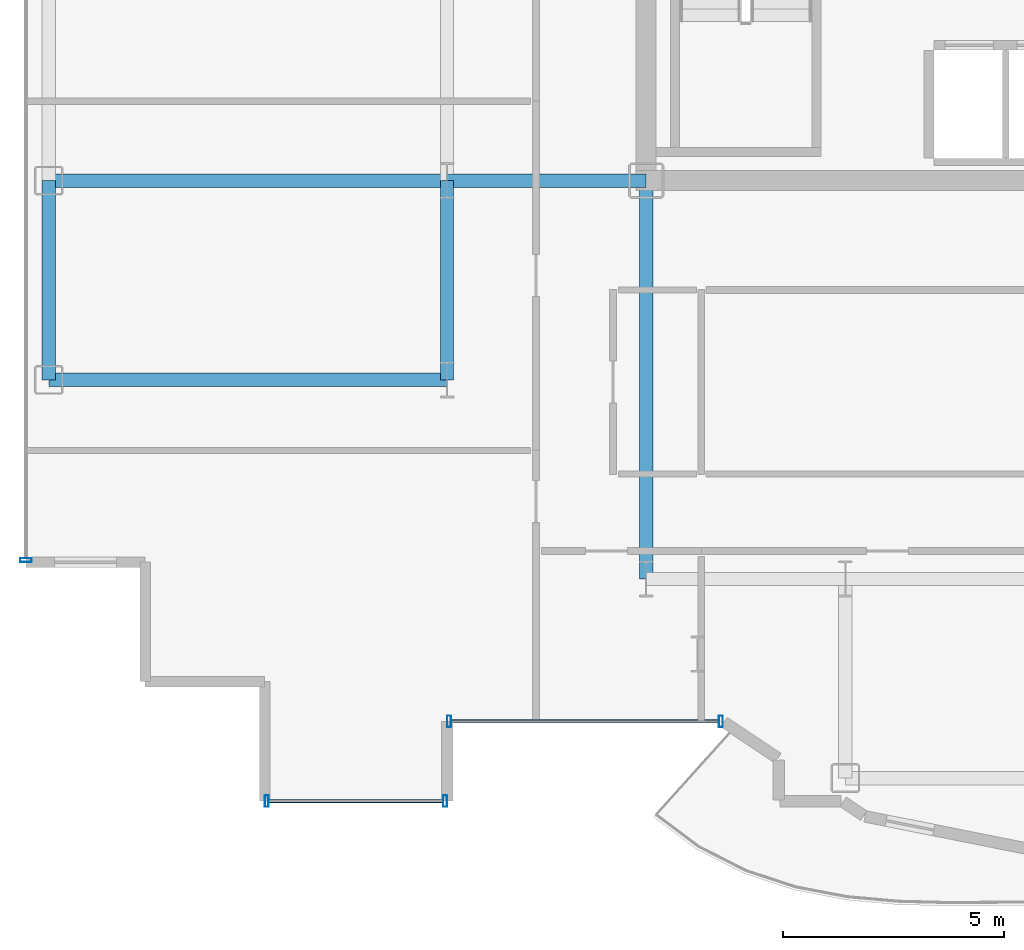
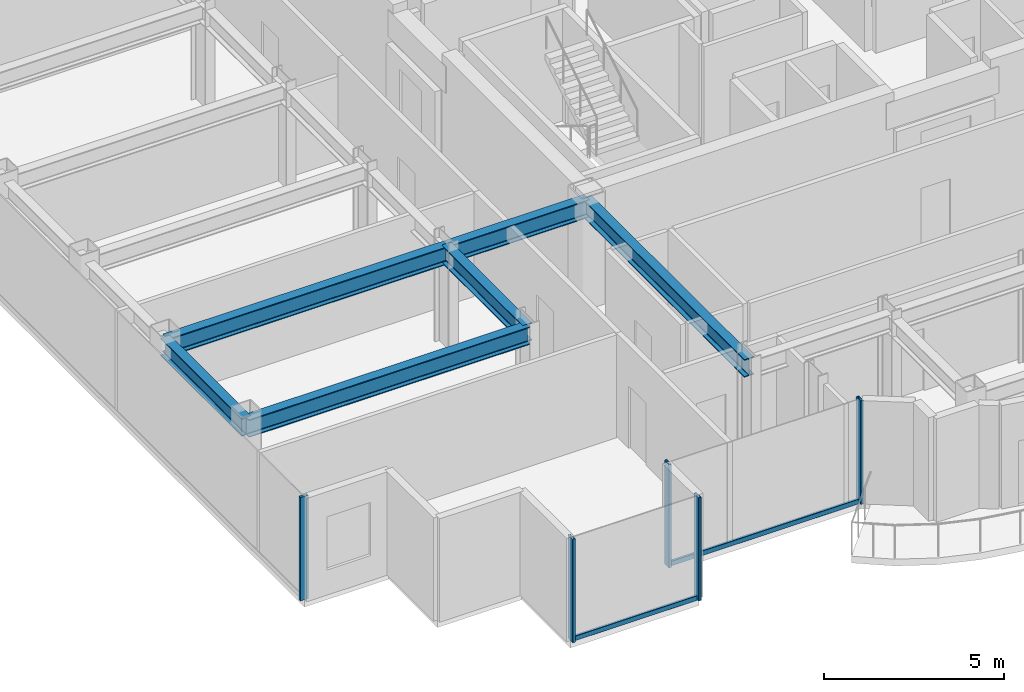
# One storey, part 2 of 21: 7 members, 6 beams, 3 elements without a shape of their own.
"""IFC4 building model written with IfcOpenShell, lengths in metres."""

from ifc_helpers import new_model, si_unit, direction, frame, origin, origin_2d, place, context, subcontext, project, spatial, hollow_rectangle, i_section, extrude, source, transform, mapped, material, layer, layer_set, material_profile, profile_set, type_object, element, aggregate, save


model = new_model("IFC4")

# Units and contexts
model_context = context("Model", 3, precision=1e-05, world=origin(), true_north=direction((0.0, 1.0)))
body_context = subcontext(model_context, "Body", "Model", "MODEL_VIEW")
ifc_project = project(units=[si_unit("LENGTHUNIT", "METRE"), si_unit("AREAUNIT", "SQUARE_METRE"), si_unit("VOLUMEUNIT", "CUBIC_METRE"), si_unit("PLANEANGLEUNIT", "RADIAN"), si_unit("MASSUNIT", "GRAM", prefix="KILO")], contexts=[model_context])

# Site, building, storey
site_placement = place(None, origin())
site = spatial("IfcSite", under=ifc_project, at=site_placement, CompositionType="ELEMENT")
building_placement = place(site_placement, origin())
building = spatial("IfcBuilding", under=site, at=building_placement, Name="Nefas-Gora Pilgrimage Tower", CompositionType="ELEMENT")
storey_placement = place(building_placement, frame((0.0, 0.0, 256.0)))
storey = spatial("IfcBuildingStorey", under=building, at=storey_placement, Name="L64", CompositionType="ELEMENT", Elevation=256.0)

# Beams
ifc_material_1 = material(Name="Steel S355", Category="steel")
ifc_material_profile_1 = material_profile(ifc_material_1, i_section(OverallWidth=0.300048828125, OverallDepth=0.60009765625, WebThickness=0.015380859375, FlangeThickness=0.030029296875, FilletRadius=0.027099609375, at=origin_2d()), Name="HEB 600")
ifc_profile_set_1 = profile_set([ifc_material_profile_1], Name="Steel S355")
beam_type_1 = type_object("IfcBeamType", Name="BM-SPN-HEB450", PredefinedType="SPANDREL", material=ifc_profile_set_1)
shared_shape_1 = source(origin(), body_context, "Body", "SweptSolid", [
    extrude(i_section(OverallWidth=0.300048828125, OverallDepth=0.60009765625, WebThickness=0.015380859375, FlangeThickness=0.030029296875, FilletRadius=0.027099609375, at=origin_2d()), origin(), (0.0, 0.0, 1.0), 4.5),
])
beam_placement = place(storey_placement, frame((-24.75, -13.5, 3.199951171875), z_axis=(0.0, 1.0, 0.0), x_axis=(-1.0, 0.0, 0.0)))
element("IfcBeam", 1, at=beam_placement, inside=storey, type_object=beam_type_1, Name="L64 SP-03 beam", PredefinedType="SPANDREL", context=body_context, shape_type="MappedRepresentation", body=[
    mapped(shared_shape_1, transform((0.0, 0.0, 0.0), x_axis=(1.0, 0.0, 0.0), y_axis=(0.0, 1.0, 0.0), z_axis=(0.0, 0.0, 1.0), scale=1.0)),
])
ifc_material_profile_2 = material_profile(ifc_material_1, i_section(OverallWidth=0.300048828125, OverallDepth=0.60009765625, WebThickness=0.015380859375, FlangeThickness=0.030029296875, FilletRadius=0.027099609375, at=origin_2d()), Name="HEB 600")
ifc_profile_set_2 = profile_set([ifc_material_profile_2], Name="Steel S355")
beam_type_2 = type_object("IfcBeamType", Name="BM-GIR-HEB600", PredefinedType="BEAM", material=ifc_profile_set_2)
shared_shape_2 = source(origin(), body_context, "Body", "SweptSolid", [
    extrude(i_section(OverallWidth=0.300048828125, OverallDepth=0.60009765625, WebThickness=0.015380859375, FlangeThickness=0.030029296875, FilletRadius=0.027099609375, at=origin_2d()), origin(), (0.0, 0.0, 1.0), 9.0),
])
for number, where, z_axis, x_axis, name in (
    (2, (-24.75, -13.5, 3.199951171875), (1.0, 0.0, 0.0), (0.0, 1.0, 0.0), "L64 G-04 beam"),
    (3, (-24.75, -9.0, 3.199951171875), (1.0, 0.0, 0.0), (0.0, 1.0, 0.0), "L64 G-04 beam"),
    (4, (-11.25, -18.0, 3.199951171875), (0.0, 1.0, 0.0), (-1.0, 0.0, 0.0), "L64 G-04 beam"),
):
    element("IfcBeam", number, at=place(storey_placement, frame(where, z_axis=z_axis, x_axis=x_axis)), inside=storey, type_object=beam_type_2, Name=name, PredefinedType="BEAM", context=body_context, shape_type="MappedRepresentation", body=[
        mapped(shared_shape_2, transform((0.0, 0.0, 0.0), x_axis=(1.0, 0.0, 0.0), y_axis=(0.0, 1.0, 0.0), z_axis=(0.0, 0.0, 1.0), scale=1.0)),
    ])
shared_shape_3 = source(origin(), body_context, "Body", "SweptSolid", [
    extrude(i_section(OverallWidth=0.300048828125, OverallDepth=0.60009765625, WebThickness=0.015380859375, FlangeThickness=0.030029296875, FilletRadius=0.027099609375, at=origin_2d()), origin(), (0.0, 0.0, 1.0), 4.5),
])
for number, where, z_axis, x_axis, name in (
    (5, (-15.75, -13.5, 3.199951171875), (0.0, 1.0, 0.0), (-1.0, 0.0, 0.0), "L64 G-04 beam"),
    (6, (-15.75, -9.0, 3.199951171875), (1.0, 0.0, 0.0), (0.0, 1.0, 0.0), "L64 G-04 beam"),
):
    element("IfcBeam", number, at=place(storey_placement, frame(where, z_axis=z_axis, x_axis=x_axis)), inside=storey, type_object=beam_type_2, Name=name, PredefinedType="BEAM", context=body_context, shape_type="MappedRepresentation", body=[
        mapped(shared_shape_3, transform((0.0, 0.0, 0.0), x_axis=(1.0, 0.0, 0.0), y_axis=(0.0, 1.0, 0.0), z_axis=(0.0, 0.0, 1.0), scale=1.0)),
    ])

# Curtain wall, members
ifc_material_2 = material(Name="Dark ceramic-fritted solar-control aluminium-glass curtain wall", Category="aluminium")
ifc_layer_1 = layer(ifc_material_2, 0.219970703125)
ifc_layer_set_1 = layer_set([ifc_layer_1], Name="Dark ceramic-fritted solar-control aluminium-glass curtain wall")
curtain_wall_type_1 = type_object("IfcCurtainWallType", Name="CW-SYS-5", PredefinedType="NOTDEFINED", material=ifc_layer_set_1)
curtain_wall_1_placement = place(storey_placement, origin())
curtain_wall_1 = element("IfcCurtainWall", 7, at=curtain_wall_1_placement, inside=storey, type_object=curtain_wall_type_1, Name="L64 Unitised Curtain Wall CW5", PredefinedType="NOTDEFINED")
ifc_material_3 = material(Name="Anodised architectural aluminium", Category="aluminium")
ifc_material_profile_3 = material_profile(ifc_material_3, hollow_rectangle(XDim=0.080078125, YDim=0.159912109375, WallThickness=0.00439453125, InnerFilletRadius=0.00439453125, OuterFilletRadius=0.009033203125, at=origin_2d()), Name="ALU TRANSOM 80x160")
ifc_profile_set_3 = profile_set([ifc_material_profile_3], Name="Anodised architectural aluminium")
member_type_1 = type_object("IfcMemberType", Name="CWM-TRN-5", PredefinedType="USERDEFINED", material=ifc_profile_set_3)
shared_shape_4 = source(origin(), body_context, "Body", "SweptSolid", [
    extrude(hollow_rectangle(XDim=0.080078125, YDim=0.159912109375, WallThickness=0.00439453125, InnerFilletRadius=0.00439453125, OuterFilletRadius=0.009033203125, at=origin_2d()), origin(), (0.0, 0.0, 1.0), 6.052001953125),
])
member_1_placement = place(storey_placement, frame((-15.659912109375, -21.219970703125, 0.050048828125), z_axis=(1.0, 0.0, 0.0), x_axis=(0.0, 1.0, 0.0)))
member_1 = element("IfcMember", 8, at=member_1_placement, type_object=member_type_1, Name="CW5 Spandrel Transom", ObjectType="TRANSOM", PredefinedType="USERDEFINED", context=body_context, shape_type="MappedRepresentation", body=[
    mapped(shared_shape_4, transform((0.0, 0.0, 0.0), x_axis=(1.0, 0.0, 0.0), y_axis=(0.0, 1.0, 0.0), z_axis=(0.0, 0.0, 1.0), scale=1.0)),
])
ifc_material_profile_4 = material_profile(ifc_material_3, hollow_rectangle(XDim=0.090087890625, YDim=0.260009765625, WallThickness=0.006103515625, InnerFilletRadius=0.006103515625, OuterFilletRadius=0.011962890625, at=origin_2d()), Name="ALU MULLION 90x260")
ifc_profile_set_4 = profile_set([ifc_material_profile_4], Name="Anodised architectural aluminium")
member_type_2 = type_object("IfcMemberType", Name="CWM-MUL-5", PredefinedType="MULLION", material=ifc_profile_set_4)
shared_shape_5 = source(origin(), body_context, "Body", "SweptSolid", [
    extrude(hollow_rectangle(XDim=0.090087890625, YDim=0.260009765625, WallThickness=0.006103515625, InnerFilletRadius=0.006103515625, OuterFilletRadius=0.011962890625, at=origin_2d()), origin(), (0.0, 0.0, 1.0), 3.5),
])
member_2_placement = place(storey_placement, frame((-15.705078125, -21.219970703125, 0.0), z_axis=(0.0, 0.0, 1.0), x_axis=(1.0, 0.0, 0.0)))
member_2 = element("IfcMember", 9, at=member_2_placement, type_object=member_type_2, Name="CW5 Mullion 1", PredefinedType="MULLION", context=body_context, shape_type="MappedRepresentation", body=[
    mapped(shared_shape_5, transform((0.0, 0.0, 0.0), x_axis=(1.0, 0.0, 0.0), y_axis=(0.0, 1.0, 0.0), z_axis=(0.0, 0.0, 1.0), scale=1.0)),
])
member_3_placement = place(storey_placement, frame((-9.56298828125, -21.219970703125, 0.0), z_axis=(0.0, 0.0, 1.0), x_axis=(1.0, 0.0, 0.0)))
member_3 = element("IfcMember", 10, at=member_3_placement, type_object=member_type_2, Name="CW5 Mullion 2", PredefinedType="MULLION", context=body_context, shape_type="MappedRepresentation", body=[
    mapped(shared_shape_5, transform((0.0, 0.0, 0.0), x_axis=(1.0, 0.0, 0.0), y_axis=(0.0, 1.0, 0.0), z_axis=(0.0, 0.0, 1.0), scale=1.0)),
])
aggregate(curtain_wall_1, [member_2, member_3, member_1])

# Curtain wall, member
ifc_layer_2 = layer(ifc_material_2, 0.219970703125)
ifc_layer_set_2 = layer_set([ifc_layer_2], Name="Dark ceramic-fritted solar-control aluminium-glass curtain wall")
curtain_wall_type_2 = type_object("IfcCurtainWallType", Name="CW-SYS-3", PredefinedType="NOTDEFINED", material=ifc_layer_set_2)
curtain_wall_2_placement = place(storey_placement, origin())
curtain_wall_2 = element("IfcCurtainWall", 11, at=curtain_wall_2_placement, inside=storey, type_object=curtain_wall_type_2, Name="L64 Unitised Curtain Wall CW3", PredefinedType="NOTDEFINED")
ifc_material_profile_5 = material_profile(ifc_material_3, hollow_rectangle(XDim=0.090087890625, YDim=0.260009765625, WallThickness=0.006103515625, InnerFilletRadius=0.006103515625, OuterFilletRadius=0.011962890625, at=origin_2d()), Name="ALU MULLION 90x260")
ifc_profile_set_5 = profile_set([ifc_material_profile_5], Name="Anodised architectural aluminium")
member_type_3 = type_object("IfcMemberType", Name="CWM-MUL-3", PredefinedType="MULLION", material=ifc_profile_set_5)
shared_shape_6 = source(origin(), body_context, "Body", "SweptSolid", [
    extrude(hollow_rectangle(XDim=0.090087890625, YDim=0.260009765625, WallThickness=0.006103515625, InnerFilletRadius=0.006103515625, OuterFilletRadius=0.011962890625, at=origin_2d()), origin(), (0.0, 0.0, 1.0), 3.5),
])
member_4_placement = place(storey_placement, frame((-25.27001953125, -17.574951171875, 0.0), z_axis=(0.0, 0.0, 1.0), x_axis=(0.0, -1.0, 0.0)))
member_4 = element("IfcMember", 12, at=member_4_placement, type_object=member_type_3, Name="CW3 Mullion 2", PredefinedType="MULLION", context=body_context, shape_type="MappedRepresentation", body=[
    mapped(shared_shape_6, transform((0.0, 0.0, 0.0), x_axis=(1.0, 0.0, 0.0), y_axis=(0.0, 1.0, 0.0), z_axis=(0.0, 0.0, 1.0), scale=1.0)),
])
aggregate(curtain_wall_2, [member_4])

# Curtain wall, members
curtain_wall_3_placement = place(storey_placement, origin())
curtain_wall_3 = element("IfcCurtainWall", 13, at=curtain_wall_3_placement, inside=storey, type_object=curtain_wall_type_2, Name="L64 Unitised Curtain Wall CW3", PredefinedType="NOTDEFINED")
member_5_placement = place(storey_placement, frame((-19.824951171875, -23.02001953125, 0.0), z_axis=(0.0, 0.0, 1.0), x_axis=(1.0, 0.0, 0.0)))
member_5 = element("IfcMember", 14, at=member_5_placement, type_object=member_type_3, Name="CW3 Mullion 1", PredefinedType="MULLION", context=body_context, shape_type="MappedRepresentation", body=[
    mapped(shared_shape_6, transform((0.0, 0.0, 0.0), x_axis=(1.0, 0.0, 0.0), y_axis=(0.0, 1.0, 0.0), z_axis=(0.0, 0.0, 1.0), scale=1.0)),
])
member_6_placement = place(storey_placement, frame((-15.794921875, -23.02001953125, 0.0), z_axis=(0.0, 0.0, 1.0), x_axis=(1.0, 0.0, 0.0)))
member_6 = element("IfcMember", 15, at=member_6_placement, type_object=member_type_3, Name="CW3 Mullion 2", PredefinedType="MULLION", context=body_context, shape_type="MappedRepresentation", body=[
    mapped(shared_shape_6, transform((0.0, 0.0, 0.0), x_axis=(1.0, 0.0, 0.0), y_axis=(0.0, 1.0, 0.0), z_axis=(0.0, 0.0, 1.0), scale=1.0)),
])
ifc_material_profile_6 = material_profile(ifc_material_3, hollow_rectangle(XDim=0.080078125, YDim=0.159912109375, WallThickness=0.00439453125, InnerFilletRadius=0.00439453125, OuterFilletRadius=0.009033203125, at=origin_2d()), Name="ALU TRANSOM 80x160")
ifc_profile_set_6 = profile_set([ifc_material_profile_6], Name="Anodised architectural aluminium")
member_type_4 = type_object("IfcMemberType", Name="CWM-TRN-3", PredefinedType="USERDEFINED", material=ifc_profile_set_6)
shared_shape_7 = source(origin(), body_context, "Body", "SweptSolid", [
    extrude(hollow_rectangle(XDim=0.080078125, YDim=0.159912109375, WallThickness=0.00439453125, InnerFilletRadius=0.00439453125, OuterFilletRadius=0.009033203125, at=origin_2d()), origin(), (0.0, 0.0, 1.0), 3.93994140625),
])
member_7_placement = place(storey_placement, frame((-19.780029296875, -23.02001953125, 0.050048828125), z_axis=(1.0, 0.0, 0.0), x_axis=(0.0, 1.0, 0.0)))
member_7 = element("IfcMember", 16, at=member_7_placement, type_object=member_type_4, Name="CW3 Spandrel Transom", ObjectType="TRANSOM", PredefinedType="USERDEFINED", context=body_context, shape_type="MappedRepresentation", body=[
    mapped(shared_shape_7, transform((0.0, 0.0, 0.0), x_axis=(1.0, 0.0, 0.0), y_axis=(0.0, 1.0, 0.0), z_axis=(0.0, 0.0, 1.0), scale=1.0)),
])
aggregate(curtain_wall_3, [member_5, member_6, member_7])

save(model, "model.ifc")
